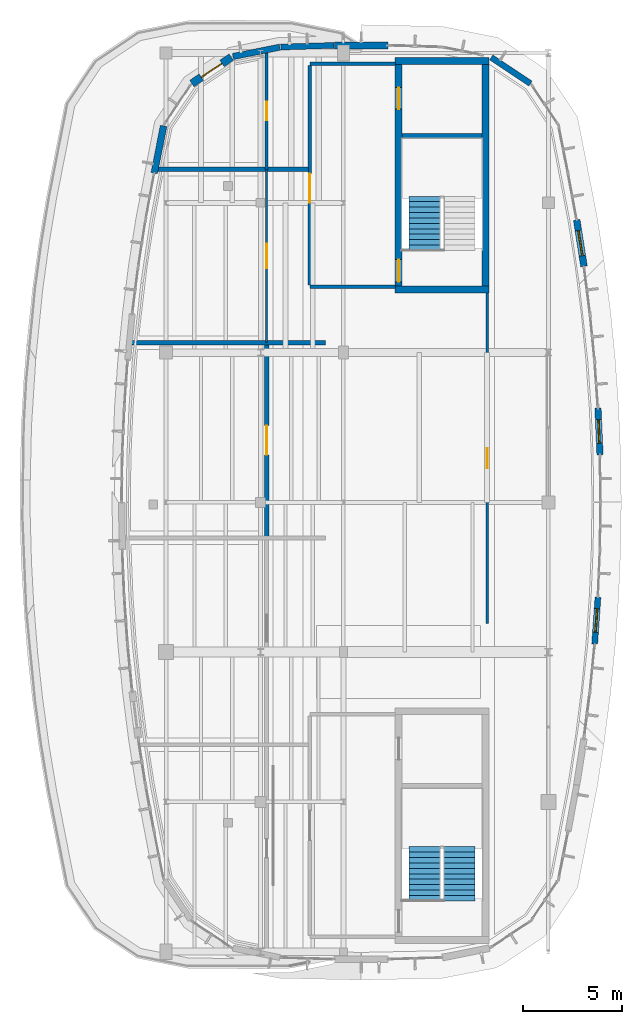
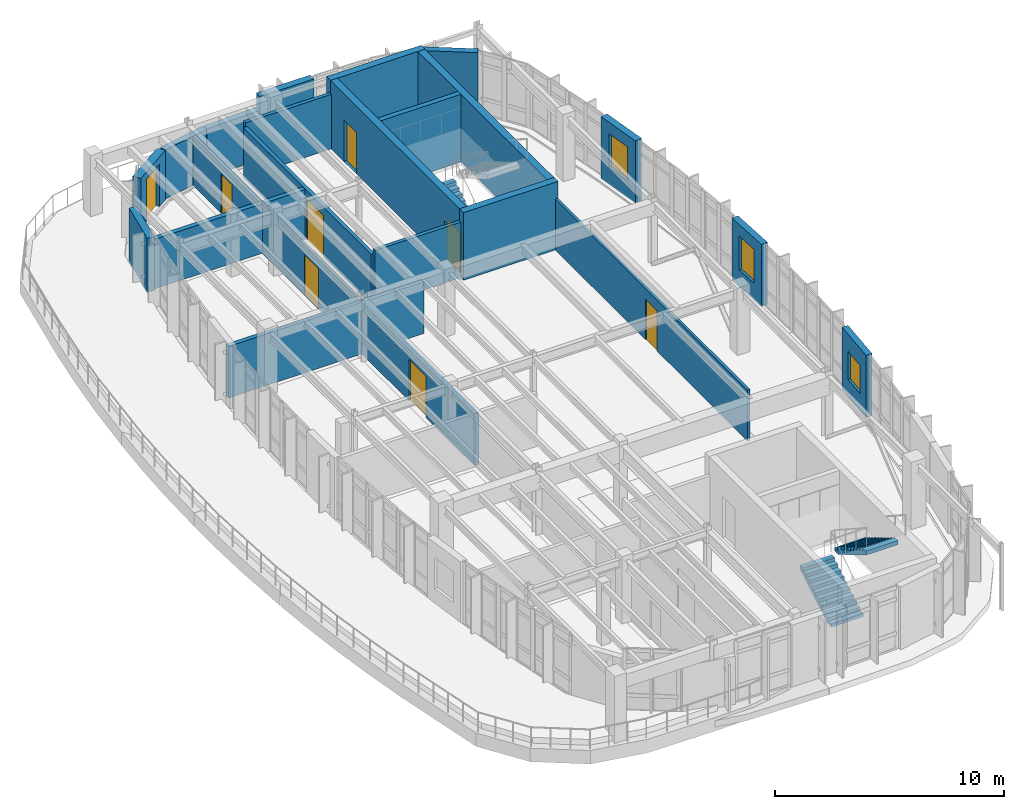
# One storey, part 16 of 20: 23 walls, 8 doors, 3 stair flights, 3 windows, 11 openings, 2 elements without a shape of their own.
"""IFC4 building model written with IfcOpenShell, lengths in metres."""

from ifc_helpers import new_model, si_unit, direction, frame, frame_2d, origin, place, context, subcontext, project, spatial, polyline, rectangle, outline, extrude, material, layer, layer_set, type_object, element, fill, aggregate, save


model = new_model("IFC4")

# Units and contexts
model_context = context("Model", 3, precision=1e-05, world=origin(), true_north=direction((0.0, 1.0)))
body_context = subcontext(model_context, "Body", "Model", "MODEL_VIEW")
ifc_project = project(units=[si_unit("LENGTHUNIT", "METRE"), si_unit("AREAUNIT", "SQUARE_METRE"), si_unit("VOLUMEUNIT", "CUBIC_METRE"), si_unit("PLANEANGLEUNIT", "RADIAN"), si_unit("MASSUNIT", "GRAM", prefix="KILO")], contexts=[model_context])

# Site, building, storey
site_placement = place(None, origin())
site = spatial("IfcSite", under=ifc_project, at=site_placement, CompositionType="ELEMENT")
building_placement = place(site_placement, origin())
building = spatial("IfcBuilding", under=site, at=building_placement, Name="Corveleigh Park Community Centre", CompositionType="ELEMENT")
storey_placement = place(building_placement, frame((0.0, 0.0, 16.199951171875)))
storey = spatial("IfcBuildingStorey", under=building, at=storey_placement, Name="L04", CompositionType="ELEMENT", Elevation=16.199951171875)

# Wall, opening, window
ifc_material_1 = material(Name="Precast concrete C40/50", Category="concrete")
ifc_layer_1 = layer(ifc_material_1, 0.300048828125, Name="Precast concrete C40/50", Category="concrete")
ifc_layer_set_1 = layer_set([ifc_layer_1], Name="Precast concrete C40/50")
wall_type_1 = type_object("IfcWallType", Name="WL-EXT-300", PredefinedType="STANDARD", material=ifc_layer_set_1)
wall_1_placement = place(storey_placement, frame((170.916015625, 76.591064453125, 0.0), z_axis=(0.0, 0.0, 1.0), x_axis=(-0.07008198487, -0.997541234936, 0.0)))
wall_1 = element("IfcWall", 1, at=wall_1_placement, inside=storey, type_object=wall_type_1, Name="V4 L04 Precast Facade Wall", PredefinedType="STANDARD", context=body_context, shape_type="SweptSolid", body=[
    extrude(rectangle(XDim=2.3828125, YDim=0.300048828125, at=frame_2d((1.19140625, 0.0))), origin(), (0.0, 0.0, 1.0), 3.31201171875),
])
opening_1_placement = place(wall_1_placement, frame((0.592041015625, 0.0, 0.89990234375)))
opening_1 = element("IfcOpeningElement", 2, at=opening_1_placement, cuts=wall_1, Name="Opening W05", PredefinedType="OPENING", context=body_context, shape_type="SweptSolid", body=[
    extrude(rectangle(XDim=1.199951171875, YDim=1.5, at=frame_2d((0.60009765625, 0.75))), frame((0.0, 0.159912109375, 0.0), z_axis=(0.0, -1.0, 0.0), x_axis=(1.0, 0.0, 0.0)), (0.0, 0.0, 1.0), 0.320068359375),
])
ifc_material_2 = material(Name="Low-E double glazing", Category="glass")
window_type_1 = type_object("IfcWindowType", Name="WIN-EXT-1200x1500", PartitioningType="SINGLE_PANEL", PredefinedType="WINDOW", material=ifc_material_2)
window_1_placement = place(opening_1_placement, origin())
window_1 = element("IfcWindow", 3, at=window_1_placement, inside=storey, type_object=window_type_1, Name="V4 L04 Window 77", OverallHeight=1.5, OverallWidth=1.199951171875, PartitioningType="SINGLE_PANEL", PredefinedType="WINDOW", context=body_context, shape_type="SweptSolid", body=[
    extrude(rectangle(XDim=1.199951171875, YDim=1.5, at=frame_2d((0.60009765625, 0.75))), frame((0.0, 0.030029296875, 0.0), z_axis=(0.0, -1.0, 0.0), x_axis=(1.0, 0.0, 0.0)), (0.0, 0.0, 1.0), 0.06005859375),
])
fill(opening_1, window_1)

# Walls
wall_2_placement = place(storey_placement, frame((165.5, 103.97900390625, 0.0), z_axis=(0.0, 0.0, 1.0), x_axis=(0.831327098334, -0.55578346105, 0.0)))
element("IfcWall", 4, at=wall_2_placement, inside=storey, type_object=wall_type_1, Name="V4 L04 Precast Facade Wall", PredefinedType="STANDARD", context=body_context, shape_type="SweptSolid", body=[
    extrude(rectangle(XDim=2.391357421875, YDim=0.300048828125, at=frame_2d((1.19580078125, 0.0))), origin(), (0.0, 0.0, 1.0), 3.3720703125),
])
wall_3_placement = place(storey_placement, frame((154.822998046875, 104.5009765625, 0.0), z_axis=(0.0, 0.0, 1.0), x_axis=(0.99950562043, 0.031440654064, 0.0)))
element("IfcWall", 5, at=wall_3_placement, inside=storey, type_object=wall_type_1, Name="V4 L04 Precast Facade Wall", PredefinedType="STANDARD", context=body_context, shape_type="SweptSolid", body=[
    extrude(rectangle(XDim=2.7021484375, YDim=0.300048828125, at=frame_2d((1.35107421875, 0.0))), origin(), (0.0, 0.0, 1.0), 2.60498046875),
])

# Wall, opening, window
ifc_layer_2 = layer(ifc_material_1, 0.320068359375, Name="Precast concrete C40/50", Category="concrete")
ifc_layer_set_2 = layer_set([ifc_layer_2], Name="Precast concrete C40/50")
wall_type_2 = type_object("IfcWallType", Name="WL-EXT-320", PredefinedType="STANDARD", material=ifc_layer_set_2)
wall_4_placement = place(storey_placement, frame((170.9169921875, 86.19091796875, 0.0), z_axis=(0.0, 0.0, 1.0), x_axis=(0.042823681887, -0.999082645365, 0.0)))
wall_4 = element("IfcWall", 6, at=wall_4_placement, inside=storey, type_object=wall_type_2, Name="V4 L04 Precast Facade Wall", PredefinedType="STANDARD", context=body_context, shape_type="SweptSolid", body=[
    extrude(rectangle(XDim=2.383056640625, YDim=0.320068359375, at=frame_2d((1.19140625, 0.0))), origin(), (0.0, 0.0, 1.0), 3.31201171875),
])
opening_2_placement = place(wall_4_placement, frame((0.592041015625, 0.0, 0.89990234375)))
opening_2 = element("IfcOpeningElement", 7, at=opening_2_placement, cuts=wall_4, Name="Opening W06", PredefinedType="OPENING", context=body_context, shape_type="SweptSolid", body=[
    extrude(rectangle(XDim=1.199951171875, YDim=1.800048828125, at=frame_2d((0.60009765625, 0.89990234375))), frame((0.0, 0.169921875, 0.0), z_axis=(0.0, -1.0, 0.0), x_axis=(1.0, 0.0, 0.0)), (0.0, 0.0, 1.0), 0.340087890625),
])
window_type_2 = type_object("IfcWindowType", Name="WIN-EXT-1200x1800", PartitioningType="SINGLE_PANEL", PredefinedType="WINDOW", material=ifc_material_2)
window_2_placement = place(opening_2_placement, origin())
window_2 = element("IfcWindow", 8, at=window_2_placement, inside=storey, type_object=window_type_2, Name="V4 L04 Window 78", OverallHeight=1.800048828125, OverallWidth=1.199951171875, PartitioningType="SINGLE_PANEL", PredefinedType="WINDOW", context=body_context, shape_type="SweptSolid", body=[
    extrude(rectangle(XDim=1.199951171875, YDim=1.800048828125, at=frame_2d((0.60009765625, 0.89990234375))), frame((0.0, 0.030029296875, 0.0), z_axis=(0.0, -1.0, 0.0), x_axis=(1.0, 0.0, 0.0)), (0.0, 0.0, 1.0), 0.06005859375),
])
fill(opening_2, window_2)

# Wall
wall_5_placement = place(storey_placement, frame((152.39501953125, 104.02197265625, 0.0), z_axis=(0.0, 0.0, 1.0), x_axis=(0.980761961866, 0.195207515624, 0.0)))
element("IfcWall", 9, at=wall_5_placement, inside=storey, type_object=wall_type_2, Name="V4 L04 Precast Facade Wall", PredefinedType="STANDARD", context=body_context, shape_type="SweptSolid", body=[
    extrude(rectangle(XDim=2.4287109375, YDim=0.320068359375, at=frame_2d((1.21435546875, 0.0))), origin(), (0.0, 0.0, 1.0), 2.60498046875),
])

# Wall, opening, window
ifc_layer_3 = layer(ifc_material_1, 0.340087890625, Name="Precast concrete C40/50", Category="concrete")
ifc_layer_set_3 = layer_set([ifc_layer_3], Name="Precast concrete C40/50")
wall_type_3 = type_object("IfcWallType", Name="WL-EXT-340", PredefinedType="STANDARD", material=ifc_layer_set_3)
wall_6_placement = place(storey_placement, frame((169.837890625, 95.72998046875, 0.0), z_axis=(0.0, 0.0, 1.0), x_axis=(0.154920709756, -0.987926907058, 0.0)))
wall_6 = element("IfcWall", 10, at=wall_6_placement, inside=storey, type_object=wall_type_3, Name="V4 L04 Precast Facade Wall", PredefinedType="STANDARD", context=body_context, shape_type="SweptSolid", body=[
    extrude(rectangle(XDim=2.3828125, YDim=0.340087890625, at=frame_2d((1.19140625, 0.0))), origin(), (0.0, 0.0, 1.0), 3.31201171875),
])
opening_3_placement = place(wall_6_placement, frame((0.541015625, 0.0, 0.89990234375)))
opening_3 = element("IfcOpeningElement", 11, at=opening_3_placement, cuts=wall_6, Name="Opening W07", PredefinedType="OPENING", context=body_context, shape_type="SweptSolid", body=[
    extrude(rectangle(XDim=1.300048828125, YDim=1.800048828125, at=frame_2d((0.64990234375, 0.89990234375))), frame((0.0, 0.179931640625, 0.0), z_axis=(0.0, -1.0, 0.0), x_axis=(1.0, 0.0, 0.0)), (0.0, 0.0, 1.0), 0.360107421875),
])
window_type_3 = type_object("IfcWindowType", Name="WIN-EXT-1300x1800", PartitioningType="SINGLE_PANEL", PredefinedType="WINDOW", material=ifc_material_2)
window_3_placement = place(opening_3_placement, origin())
window_3 = element("IfcWindow", 12, at=window_3_placement, inside=storey, type_object=window_type_3, Name="V4 L04 Window 79", OverallHeight=1.800048828125, OverallWidth=1.300048828125, PartitioningType="SINGLE_PANEL", PredefinedType="WINDOW", context=body_context, shape_type="SweptSolid", body=[
    extrude(rectangle(XDim=1.300048828125, YDim=1.800048828125, at=frame_2d((0.64990234375, 0.89990234375))), frame((0.0, 0.030029296875, 0.0), z_axis=(0.0, -1.0, 0.0), x_axis=(1.0, 0.0, 0.0)), (0.0, 0.0, 1.0), 0.06005859375),
])
fill(opening_3, window_3)

# Walls
wall_7_placement = place(storey_placement, frame((157.5419921875, 104.5859375, 0.0), z_axis=(0.0, 0.0, 1.0), x_axis=(1.0, 0.0, 0.0)))
element("IfcWall", 13, at=wall_7_placement, inside=storey, type_object=wall_type_3, Name="V4 L04 Precast Facade Wall", PredefinedType="STANDARD", context=body_context, shape_type="SweptSolid", body=[
    extrude(rectangle(XDim=2.716064453125, YDim=0.340087890625, at=frame_2d((1.35791015625, 0.0))), origin(), (0.0, 0.0, 1.0), 3.337158203125),
])
wall_8_placement = place(storey_placement, frame((148.40087890625, 98.10693359375, 0.0), z_axis=(0.0, 0.0, 1.0), x_axis=(0.195117479311, 0.980779878091, 0.0)))
element("IfcWall", 14, at=wall_8_placement, inside=storey, type_object=wall_type_3, Name="V4 L04 Precast Facade Wall", PredefinedType="STANDARD", context=body_context, shape_type="SweptSolid", body=[
    extrude(rectangle(XDim=2.44482421875, YDim=0.340087890625, at=frame_2d((1.222412109375, 0.0))), origin(), (0.0, 0.0, 1.0), 2.862060546875),
])

# Wall, opening, door
ifc_material_3 = material(Name="Concrete C40/50", Category="concrete")
ifc_layer_4 = layer(ifc_material_3, 0.39990234375, Name="Concrete C40/50", Category="concrete")
ifc_layer_set_4 = layer_set([ifc_layer_4], Name="Concrete C40/50")
wall_type_4 = type_object("IfcWallType", Name="WL-EXT-400", PredefinedType="STANDARD", material=ifc_layer_set_4)
wall_9_placement = place(storey_placement, frame((150.31201171875, 102.64990234375, 0.0), z_axis=(0.0, 0.0, 1.0), x_axis=(0.831378967594, 0.555705868461, 0.0)))
wall_9 = element("IfcWall", 15, at=wall_9_placement, inside=storey, type_object=wall_type_4, Name="V4 terrace wall", PredefinedType="STANDARD", context=body_context, shape_type="SweptSolid", body=[
    extrude(rectangle(XDim=2.407958984375, YDim=0.39990234375, at=frame_2d((1.2041015625, 0.0))), origin(), (0.0, 0.0, 1.0), 2.64501953125),
])
opening_4_placement = place(wall_9_placement, frame((0.573974609375, 0.0, 0.0)))
opening_4 = element("IfcOpeningElement", 16, at=opening_4_placement, cuts=wall_9, Name="Opening ED03", PredefinedType="OPENING", context=body_context, shape_type="SweptSolid", body=[
    extrude(rectangle(XDim=1.260009765625, YDim=2.260009765625, at=frame_2d((0.6298828125, 1.1298828125))), frame((0.0, 0.2099609375, 0.0), z_axis=(0.0, -1.0, 0.0), x_axis=(1.0, 0.0, 0.0)), (0.0, 0.0, 1.0), 0.419921875),
])
ifc_material_4 = material(Name="Powder-coated aluminium glazed door", Category="aluminium")
door_type_1 = type_object("IfcDoorType", Name="DR-EXT-1260x2260", OperationType="NOTDEFINED", PredefinedType="DOOR", material=ifc_material_4)
door_1_placement = place(opening_4_placement, origin())
door_1 = element("IfcDoor", 17, at=door_1_placement, inside=storey, type_object=door_type_1, Name="Step 4 STEM and Language Terrace access door", OperationType="SINGLE_SWING_LEFT", OverallHeight=2.260009765625, OverallWidth=1.260009765625, PredefinedType="DOOR", context=body_context, shape_type="SweptSolid", body=[
    extrude(rectangle(XDim=1.260009765625, YDim=2.260009765625, at=frame_2d((0.6298828125, 1.1298828125))), frame((0.0, 0.02490234375, 0.0), z_axis=(0.0, -1.0, 0.0), x_axis=(1.0, 0.0, 0.0)), (0.0, 0.0, 1.0), 0.050048828125),
])
fill(opening_4, door_1)

ifc_material_5 = material(Name="Gypsum acoustic stud partition", Category="gypsum")
ifc_layer_5 = layer(ifc_material_5, 0.10009765625, Name="Gypsum acoustic stud partition", Category="gypsum")
ifc_layer_set_5 = layer_set([ifc_layer_5], Name="Gypsum acoustic stud partition")
wall_type_5 = type_object("IfcWallType", Name="WL-PRT-100", PredefinedType="PARTITIONING", material=ifc_layer_set_5)
wall_10_placement = place(storey_placement, frame((154.10009765625, 98.300048828125, 0.0), z_axis=(0.0, 0.0, 1.0), x_axis=(0.0, -1.0, 0.0)))
wall_10 = element("IfcWall", 18, at=wall_10_placement, inside=storey, type_object=wall_type_5, Name="Community Health Drop-In Studio corridor wall", PredefinedType="PARTITIONING", context=body_context, shape_type="SweptSolid", body=[
    extrude(rectangle(XDim=8.800048828125, YDim=0.10009765625, at=frame_2d((4.39990234375, 0.0))), origin(), (0.0, 0.0, 1.0), 2.64111328125),
])
opening_5_placement = place(wall_10_placement, frame((3.780029296875, 0.0, 0.0)))
opening_5 = element("IfcOpeningElement", 19, at=opening_5_placement, cuts=wall_10, Name="Opening ID04", PredefinedType="OPENING", context=body_context, shape_type="SweptSolid", body=[
    extrude(rectangle(XDim=1.239990234375, YDim=2.159912109375, at=frame_2d((0.6201171875, 1.080078125))), frame((0.0, 0.06005859375, 0.0), z_axis=(0.0, -1.0, 0.0), x_axis=(1.0, 0.0, 0.0)), (0.0, 0.0, 1.0), 0.1201171875),
])
ifc_material_6 = material(Name="Hardwood acoustic door leaf", Category="wood")
door_type_2 = type_object("IfcDoorType", Name="DR-INT-1240x2160", OperationType="NOTDEFINED", PredefinedType="DOOR", material=ifc_material_6)
door_2_placement = place(opening_5_placement, origin())
door_2 = element("IfcDoor", 20, at=door_2_placement, inside=storey, type_object=door_type_2, Name="Community Health Drop-In Studio door", OperationType="SINGLE_SWING_LEFT", OverallHeight=2.159912109375, OverallWidth=1.239990234375, PredefinedType="DOOR", context=body_context, shape_type="SweptSolid", body=[
    extrude(rectangle(XDim=1.239990234375, YDim=2.159912109375, at=frame_2d((0.6201171875, 1.080078125))), frame((0.0, 0.02490234375, 0.0), z_axis=(0.0, -1.0, 0.0), x_axis=(1.0, 0.0, 0.0)), (0.0, 0.0, 1.0), 0.050048828125),
])
fill(opening_5, door_2)

ifc_layer_6 = layer(ifc_material_5, 0.125, Name="Gypsum acoustic stud partition", Category="gypsum")
ifc_layer_set_6 = layer_set([ifc_layer_6], Name="Gypsum acoustic stud partition")
wall_type_6 = type_object("IfcWallType", Name="WL-PRT-125", PredefinedType="PARTITIONING", material=ifc_layer_set_6)
wall_11_placement = place(storey_placement, frame((165.300048828125, 75.25, 0.0), z_axis=(0.0, 0.0, 1.0), x_axis=(0.0, 1.0, 0.0)))
wall_11 = element("IfcWall", 21, at=wall_11_placement, inside=storey, type_object=wall_type_6, Name="Parkside Digital Study Library corridor wall", PredefinedType="PARTITIONING", context=body_context, shape_type="SweptSolid", body=[
    extrude(rectangle(XDim=16.787109375, YDim=0.125, at=frame_2d((8.3935546875, 0.0))), origin(), (0.0, 0.0, 1.0), 2.7099609375),
])
opening_6_placement = place(wall_11_placement, frame((7.884033203125, 0.0, 0.0)))
opening_6 = element("IfcOpeningElement", 22, at=opening_6_placement, cuts=wall_11, Name="Opening FD05", PredefinedType="OPENING", context=body_context, shape_type="SweptSolid", body=[
    extrude(rectangle(XDim=1.02001953125, YDim=2.139892578125, at=frame_2d((0.510009765625, 1.06982421875))), frame((0.0, 0.072509765625, 0.0), z_axis=(0.0, -1.0, 0.0), x_axis=(1.0, 0.0, 0.0)), (0.0, 0.0, 1.0), 0.14501953125),
])
door_type_3 = type_object("IfcDoorType", Name="DR-FIR-1020x2140", OperationType="NOTDEFINED", PredefinedType="DOOR", material=ifc_material_6)
door_3_placement = place(opening_6_placement, origin())
door_3 = element("IfcDoor", 23, at=door_3_placement, inside=storey, type_object=door_type_3, Name="Parkside Digital Study Library door", OperationType="SINGLE_SWING_LEFT", OverallHeight=2.139892578125, OverallWidth=1.02001953125, PredefinedType="DOOR", context=body_context, shape_type="SweptSolid", body=[
    extrude(rectangle(XDim=1.02001953125, YDim=2.139892578125, at=frame_2d((0.510009765625, 1.06982421875))), frame((0.0, 0.02490234375, 0.0), z_axis=(0.0, -1.0, 0.0), x_axis=(1.0, 0.0, 0.0)), (0.0, 0.0, 1.0), 0.050048828125),
])
fill(opening_6, door_3)

ifc_layer_7 = layer(ifc_material_5, 0.1650390625, Name="Gypsum acoustic stud partition", Category="gypsum")
ifc_layer_set_7 = layer_set([ifc_layer_7], Name="Gypsum acoustic stud partition")
wall_type_7 = type_object("IfcWallType", Name="WL-PRT-165", PredefinedType="PARTITIONING", material=ifc_layer_set_7)
wall_12_placement = place(storey_placement, frame((154.10009765625, 104.2099609375, 0.0), z_axis=(0.0, 0.0, 1.0), x_axis=(0.0, -1.0, 0.0)))
wall_12 = element("IfcWall", 24, at=wall_12_placement, inside=storey, type_object=wall_type_7, Name="Accessible and Public Toilets L04 corridor wall", PredefinedType="PARTITIONING", context=body_context, shape_type="SweptSolid", body=[
    extrude(rectangle(XDim=5.909912109375, YDim=0.1650390625, at=frame_2d((2.955078125, 0.0))), origin(), (0.0, 0.0, 1.0), 2.60498046875),
])
opening_7_placement = place(wall_12_placement, frame((2.485107421875, 0.0, 0.0)))
opening_7 = element("IfcOpeningElement", 25, at=opening_7_placement, cuts=wall_12, Name="Opening FD09", PredefinedType="OPENING", context=body_context, shape_type="SweptSolid", body=[
    extrude(rectangle(XDim=0.93994140625, YDim=2.10009765625, at=frame_2d((0.469970703125, 1.050048828125))), frame((0.0, 0.092529296875, 0.0), z_axis=(0.0, -1.0, 0.0), x_axis=(1.0, 0.0, 0.0)), (0.0, 0.0, 1.0), 0.18505859375),
])
door_type_4 = type_object("IfcDoorType", Name="DR-FIR-0940x2100", OperationType="NOTDEFINED", PredefinedType="DOOR", material=ifc_material_6)
door_4_placement = place(opening_7_placement, origin())
door_4 = element("IfcDoor", 26, at=door_4_placement, inside=storey, type_object=door_type_4, Name="Accessible and Public Toilets L04 door", OperationType="SINGLE_SWING_RIGHT", OverallHeight=2.10009765625, OverallWidth=0.93994140625, PredefinedType="DOOR", context=body_context, shape_type="SweptSolid", body=[
    extrude(rectangle(XDim=0.93994140625, YDim=2.10009765625, at=frame_2d((0.469970703125, 1.050048828125))), frame((0.0, 0.02490234375, 0.0), z_axis=(0.0, -1.0, 0.0), x_axis=(1.0, 0.0, 0.0)), (0.0, 0.0, 1.0), 0.050048828125),
])
fill(opening_7, door_4)

# Walls
ifc_layer_8 = layer(ifc_material_5, 0.179931640625, Name="Gypsum acoustic stud partition", Category="gypsum")
ifc_layer_set_8 = layer_set([ifc_layer_8], Name="Gypsum acoustic stud partition")
wall_type_8 = type_object("IfcWallType", Name="WL-PRT-180", PredefinedType="PARTITIONING", material=ifc_layer_set_8)
wall_13_placement = place(storey_placement, frame((156.300048828125, 92.35009765625, 0.0), z_axis=(0.0, 0.0, 1.0), x_axis=(1.0, 0.0, 0.0)))
element("IfcWall", 27, at=wall_13_placement, inside=storey, type_object=wall_type_8, Name="CORE2 lobby south wall", PredefinedType="PARTITIONING", context=body_context, shape_type="SweptSolid", body=[
    extrude(rectangle(XDim=4.33984375, YDim=0.179931640625, at=frame_2d((2.169921875, 0.0))), origin(), (0.0, 0.0, 1.0), 2.9541015625),
])
wall_14_placement = place(storey_placement, frame((160.639892578125, 103.64990234375, 0.0), z_axis=(0.0, 0.0, 1.0), x_axis=(-1.0, 0.0, 0.0)))
element("IfcWall", 28, at=wall_14_placement, inside=storey, type_object=wall_type_8, Name="CORE2 lobby north wall", PredefinedType="PARTITIONING", context=body_context, shape_type="SweptSolid", body=[
    extrude(rectangle(XDim=4.33984375, YDim=0.179931640625, at=frame_2d((2.169921875, 0.0))), origin(), (0.0, 0.0, 1.0), 2.900146484375),
])

# Wall, opening, door
wall_15_placement = place(storey_placement, frame((156.300048828125, 103.570068359375, 0.0), z_axis=(0.0, 0.0, 1.0), x_axis=(0.0, -1.0, 0.0)))
wall_15 = element("IfcWall", 29, at=wall_15_placement, inside=storey, type_object=wall_type_8, Name="CORE2 lobby corridor wall", PredefinedType="PARTITIONING", context=body_context, shape_type="SweptSolid", body=[
    extrude(rectangle(XDim=11.14013671875, YDim=0.179931640625, at=frame_2d((5.570068359375, 0.0))), origin(), (0.0, 0.0, 1.0), 2.672119140625),
])
opening_8_placement = place(wall_15_placement, frame((5.489990234375, 0.0, 0.0)))
opening_8 = element("IfcOpeningElement", 30, at=opening_8_placement, cuts=wall_15, Name="Opening FD01", PredefinedType="OPENING", context=body_context, shape_type="SweptSolid", body=[
    extrude(rectangle(XDim=1.47998046875, YDim=2.219970703125, at=frame_2d((0.739990234375, 1.10986328125))), frame((0.0, 0.099853515625, 0.0), z_axis=(0.0, -1.0, 0.0), x_axis=(1.0, 0.0, 0.0)), (0.0, 0.0, 1.0), 0.199951171875),
])
door_type_5 = type_object("IfcDoorType", Name="DR-FIR-1480x2220", OperationType="DOUBLE_DOOR_SINGLE_SWING", PredefinedType="DOOR", material=ifc_material_6)
door_5_placement = place(opening_8_placement, origin())
door_5 = element("IfcDoor", 31, at=door_5_placement, inside=storey, type_object=door_type_5, Name="Lobby CORE2 corridor door L04", OperationType="DOUBLE_DOOR_SINGLE_SWING", OverallHeight=2.219970703125, OverallWidth=1.47998046875, PredefinedType="DOOR", context=body_context, shape_type="SweptSolid", body=[
    extrude(rectangle(XDim=1.47998046875, YDim=2.219970703125, at=frame_2d((0.739990234375, 1.10986328125))), frame((0.0, 0.02490234375, 0.0), z_axis=(0.0, -1.0, 0.0), x_axis=(1.0, 0.0, 0.0)), (0.0, 0.0, 1.0), 0.050048828125),
])
fill(opening_8, door_5)

# Wall
ifc_material_7 = material(Name="Masonry blockwork 7.3 MPa", Category="masonry")
ifc_layer_9 = layer(ifc_material_7, 0.215087890625, Name="Masonry blockwork 7.3 MPa", Category="masonry")
ifc_layer_set_9 = layer_set([ifc_layer_9], Name="Masonry blockwork 7.3 MPa")
wall_type_9 = type_object("IfcWallType", Name="WL-PRT-215", PredefinedType="PARTITIONING", material=ifc_layer_set_9)
wall_16_placement = place(storey_placement, frame((147.280029296875, 89.5, 0.0), z_axis=(0.0, 0.0, 1.0), x_axis=(1.0, 0.0, 0.0)))
element("IfcWall", 32, at=wall_16_placement, inside=storey, type_object=wall_type_9, Name="Citizens Advice Consultation Suite partition", PredefinedType="PARTITIONING", context=body_context, shape_type="SweptSolid", body=[
    extrude(rectangle(XDim=9.820068359375, YDim=0.215087890625, at=frame_2d((4.91015625, 0.0))), origin(), (0.0, 0.0, 1.0), 2.748046875),
])

# Wall, opening, door
ifc_layer_10 = layer(ifc_material_7, 0.22998046875, Name="Masonry blockwork 7.3 MPa", Category="masonry")
ifc_layer_set_10 = layer_set([ifc_layer_10], Name="Masonry blockwork 7.3 MPa")
wall_type_10 = type_object("IfcWallType", Name="WL-PRT-230", PredefinedType="PARTITIONING", material=ifc_layer_set_10)
wall_17_placement = place(storey_placement, frame((154.10009765625, 89.5, 0.0), z_axis=(0.0, 0.0, 1.0), x_axis=(0.0, -1.0, 0.0)))
wall_17 = element("IfcWall", 33, at=wall_17_placement, inside=storey, type_object=wall_type_10, Name="Citizens Advice Consultation Suite corridor wall", PredefinedType="PARTITIONING", context=body_context, shape_type="SweptSolid", body=[
    extrude(rectangle(XDim=9.89990234375, YDim=0.22998046875, at=frame_2d((4.949951171875, 0.0))), origin(), (0.0, 0.0, 1.0), 2.751953125),
])
opening_9_placement = place(wall_17_placement, frame((4.2099609375, 0.0, 0.0)))
opening_9 = element("IfcOpeningElement", 34, at=opening_9_placement, cuts=wall_17, Name="Opening FD01", PredefinedType="OPENING", context=body_context, shape_type="SweptSolid", body=[
    extrude(rectangle(XDim=1.47998046875, YDim=2.219970703125, at=frame_2d((0.739990234375, 1.10986328125))), frame((0.0, 0.125, 0.0), z_axis=(0.0, -1.0, 0.0), x_axis=(1.0, 0.0, 0.0)), (0.0, 0.0, 1.0), 0.25),
])
door_6_placement = place(opening_9_placement, origin())
door_6 = element("IfcDoor", 35, at=door_6_placement, inside=storey, type_object=door_type_5, Name="Citizens Advice Consultation Suite door", OperationType="DOUBLE_DOOR_SINGLE_SWING", OverallHeight=2.219970703125, OverallWidth=1.47998046875, PredefinedType="DOOR", context=body_context, shape_type="SweptSolid", body=[
    extrude(rectangle(XDim=1.47998046875, YDim=2.219970703125, at=frame_2d((0.739990234375, 1.10986328125))), frame((0.0, 0.02490234375, 0.0), z_axis=(0.0, -1.0, 0.0), x_axis=(1.0, 0.0, 0.0)), (0.0, 0.0, 1.0), 0.050048828125),
])
fill(opening_9, door_6)

# Walls
wall_18_placement = place(storey_placement, frame((148.60009765625, 98.300048828125, 0.0), z_axis=(0.0, 0.0, 1.0), x_axis=(1.0, 0.0, 0.0)))
element("IfcWall", 36, at=wall_18_placement, inside=storey, type_object=wall_type_10, Name="Community Health Drop-In Studio partition", PredefinedType="PARTITIONING", context=body_context, shape_type="SweptSolid", body=[
    extrude(rectangle(XDim=7.621826171875, YDim=0.22998046875, at=frame_2d((3.81103515625, 0.0))), origin(), (0.0, 0.0, 1.0), 2.64111328125),
])
ifc_layer_11 = layer(ifc_material_3, 0.25, Name="Concrete C40/50", Category="concrete")
ifc_layer_set_11 = layer_set([ifc_layer_11], Name="Concrete C40/50")
wall_type_11 = type_object("IfcWallType", Name="WL-SHR-250", PredefinedType="SHEAR", material=ifc_layer_set_11)
wall_19_placement = place(storey_placement, frame((160.97509765625, 100.0, 0.0), z_axis=(0.0, 0.0, 1.0), x_axis=(1.0, 0.0, 0.0)))
element("IfcWall", 37, at=wall_19_placement, inside=storey, type_object=wall_type_11, Name="CORE2 shaft wall", PredefinedType="SHEAR", context=body_context, shape_type="SweptSolid", body=[
    extrude(rectangle(XDim=4.0498046875, YDim=0.25, at=frame_2d((2.02490234375, 0.0))), origin(), (0.0, 0.0, 1.0), 3.60009765625),
])
ifc_layer_12 = layer(ifc_material_3, 0.35009765625, Name="Concrete C40/50", Category="concrete")
ifc_layer_set_12 = layer_set([ifc_layer_12], Name="Concrete C40/50")
wall_type_12 = type_object("IfcWallType", Name="WL-SHR-350", PredefinedType="SHEAR", material=ifc_layer_set_12)
wall_20_placement = place(storey_placement, frame((160.625, 92.199951171875, 0.0), z_axis=(0.0, 0.0, 1.0), x_axis=(1.0, 0.0, 0.0)))
element("IfcWall", 38, at=wall_20_placement, inside=storey, type_object=wall_type_12, Name="CORE2 south shear wall", PredefinedType="SHEAR", context=body_context, shape_type="SweptSolid", body=[
    extrude(rectangle(XDim=4.75, YDim=0.35009765625, at=frame_2d((2.375, 0.0))), origin(), (0.0, 0.0, 1.0), 3.60009765625),
])
wall_21_placement = place(storey_placement, frame((165.199951171875, 92.375, 0.0), z_axis=(0.0, 0.0, 1.0), x_axis=(0.0, 1.0, 0.0)))
element("IfcWall", 39, at=wall_21_placement, inside=storey, type_object=wall_type_12, Name="CORE2 east shear wall", PredefinedType="SHEAR", context=body_context, shape_type="SweptSolid", body=[
    extrude(rectangle(XDim=11.25, YDim=0.35009765625, at=frame_2d((5.625, 0.0))), origin(), (0.0, 0.0, 1.0), 3.60009765625),
])
wall_22_placement = place(storey_placement, frame((165.375, 103.800048828125, 0.0), z_axis=(0.0, 0.0, 1.0), x_axis=(-1.0, 0.0, 0.0)))
element("IfcWall", 40, at=wall_22_placement, inside=storey, type_object=wall_type_12, Name="CORE2 north shear wall", PredefinedType="SHEAR", context=body_context, shape_type="SweptSolid", body=[
    extrude(rectangle(XDim=4.75, YDim=0.35009765625, at=frame_2d((2.375, 0.0))), origin(), (0.0, 0.0, 1.0), 3.60009765625),
])

# Wall, openings, doors
wall_23_placement = place(storey_placement, frame((160.800048828125, 103.625, 0.0), z_axis=(0.0, 0.0, 1.0), x_axis=(0.0, -1.0, 0.0)))
wall_23 = element("IfcWall", 41, at=wall_23_placement, inside=storey, type_object=wall_type_12, Name="CORE2 west lobby wall", PredefinedType="SHEAR", context=body_context, shape_type="SweptSolid", body=[
    extrude(rectangle(XDim=11.25, YDim=0.35009765625, at=frame_2d((5.625, 0.0))), origin(), (0.0, 0.0, 1.0), 3.60009765625),
])
opening_10_placement = place(wall_23_placement, frame((1.175048828125, 0.0, 0.0)))
opening_10 = element("IfcOpeningElement", 42, at=opening_10_placement, cuts=wall_23, Name="Opening LD01", PredefinedType="OPENING", context=body_context, shape_type="SweptSolid", body=[
    extrude(rectangle(XDim=1.10009765625, YDim=2.199951171875, at=frame_2d((0.550048828125, 1.10009765625))), frame((0.0, 0.18505859375, 0.0), z_axis=(0.0, -1.0, 0.0), x_axis=(1.0, 0.0, 0.0)), (0.0, 0.0, 1.0), 0.3701171875),
])
opening_11_placement = place(wall_23_placement, frame((9.9150390625, 0.0, 0.0)))
opening_11 = element("IfcOpeningElement", 43, at=opening_11_placement, cuts=wall_23, Name="Opening FD03", PredefinedType="OPENING", context=body_context, shape_type="SweptSolid", body=[
    extrude(rectangle(XDim=1.1201171875, YDim=2.159912109375, at=frame_2d((0.56005859375, 1.080078125))), frame((0.0, 0.18505859375, 0.0), z_axis=(0.0, -1.0, 0.0), x_axis=(1.0, 0.0, 0.0)), (0.0, 0.0, 1.0), 0.3701171875),
])
door_type_6 = type_object("IfcDoorType", Name="DR-FIR-1120x2160", OperationType="NOTDEFINED", PredefinedType="DOOR", material=ifc_material_6)
door_7_placement = place(opening_11_placement, origin())
door_7 = element("IfcDoor", 44, at=door_7_placement, inside=storey, type_object=door_type_6, Name="Stair ST2 fire door L04", OperationType="SINGLE_SWING_RIGHT", OverallHeight=2.159912109375, OverallWidth=1.1201171875, PredefinedType="DOOR", context=body_context, shape_type="SweptSolid", body=[
    extrude(rectangle(XDim=1.1201171875, YDim=2.159912109375, at=frame_2d((0.56005859375, 1.080078125))), frame((0.0, 0.02490234375, 0.0), z_axis=(0.0, -1.0, 0.0), x_axis=(1.0, 0.0, 0.0)), (0.0, 0.0, 1.0), 0.050048828125),
])
fill(opening_11, door_7)
ifc_material_8 = material(Name="Brushed stainless steel lift car", Category="steel")
door_type_7 = type_object("IfcDoorType", Name="DR-LFT-1100x2200", OperationType="DOUBLE_DOOR_SLIDING", PredefinedType="DOOR", material=ifc_material_8)
door_8_placement = place(opening_10_placement, origin())
door_8 = element("IfcDoor", 45, at=door_8_placement, inside=storey, type_object=door_type_7, Name="Lift FL2 landing door L04", OperationType="DOUBLE_DOOR_SLIDING", OverallHeight=2.199951171875, OverallWidth=1.10009765625, PredefinedType="DOOR", context=body_context, shape_type="SweptSolid", body=[
    extrude(rectangle(XDim=1.10009765625, YDim=2.199951171875, at=frame_2d((0.550048828125, 1.10009765625))), frame((0.0, 0.02490234375, 0.0), z_axis=(0.0, -1.0, 0.0), x_axis=(1.0, 0.0, 0.0)), (0.0, 0.0, 1.0), 0.050048828125),
])
fill(opening_10, door_8)

# Stair, stair flights
ifc_material_9 = material(Name="Concrete C32/40", Category="concrete")
stair_type = type_object("IfcStairType", Name="STR-HT-1600-360", PredefinedType="USERDEFINED", material=ifc_material_9)
stair_1_placement = place(storey_placement, origin())
stair_1 = element("IfcStair", 46, at=stair_1_placement, inside=storey, type_object=stair_type, Name="Protected escape stair ST1 (L04 to L05)", ObjectType="TWO_RETURN_STAIR", PredefinedType="USERDEFINED")
ifc_layer_13 = layer(ifc_material_9, 0.179931640625, Name="Concrete C32/40", Category="concrete")
ifc_layer_set_13 = layer_set([ifc_layer_13], Name="Concrete C32/40")
stair_flight_type = type_object("IfcStairFlightType", Name="FLG-RC-1600", PredefinedType="STRAIGHT", material=ifc_layer_set_13)
stair_flight_1_placement = place(storey_placement, frame((162.1298828125, 61.179931640625, 0.0), z_axis=(0.0, 0.0, 1.0), x_axis=(0.0, 1.0, 0.0)))
stair_flight_1 = element("IfcStairFlight", 47, at=stair_flight_1_placement, type_object=stair_flight_type, Name="ST1 flight 1", NumberOfRisers=11, NumberOfTreads=10, PredefinedType="STRAIGHT", RiserHeight=0.16364, TreadLength=0.275, context=body_context, shape_type="SweptSolid", body=[
    extrude(outline(polyline([(0.0, 0.0), (0.0, 0.16357421875), (0.27490234375, 0.16357421875), (0.27490234375, 0.327392578125), (0.550048828125, 0.327392578125), (0.550048828125, 0.490966796875), (0.824951171875, 0.490966796875), (0.824951171875, 0.654541015625), (1.10009765625, 0.654541015625), (1.10009765625, 0.818115234375), (1.375, 0.818115234375), (1.375, 0.98193359375), (1.64990234375, 0.98193359375), (1.64990234375, 1.1455078125), (1.925048828125, 1.1455078125), (1.925048828125, 1.30908203125), (2.199951171875, 1.30908203125), (2.199951171875, 1.47265625), (2.47509765625, 1.47265625), (2.47509765625, 1.636474609375), (2.75, 1.636474609375), (2.75, 1.800048828125), (2.75, 1.427001953125), (0.351806640625, 0.0), (0.0, 0.0)])), frame((0.0, 0.800048828125, 0.0), z_axis=(0.0, -1.0, 0.0), x_axis=(1.0, 0.0, 0.0)), (0.0, 0.0, 1.0), 1.60009765625),
])
stair_flight_2_placement = place(storey_placement, frame((163.8701171875, 63.929931640625, 1.800048828125), z_axis=(0.0, 0.0, 1.0), x_axis=(0.0, -1.0, 0.0)))
stair_flight_2 = element("IfcStairFlight", 48, at=stair_flight_2_placement, type_object=stair_flight_type, Name="ST1 flight 2", NumberOfRisers=11, NumberOfTreads=10, PredefinedType="STRAIGHT", RiserHeight=0.16364, TreadLength=0.275, context=body_context, shape_type="SweptSolid", body=[
    extrude(outline(polyline([(0.0, 0.0), (0.0, 0.16357421875), (0.27490234375, 0.16357421875), (0.27490234375, 0.327392578125), (0.550048828125, 0.327392578125), (0.550048828125, 0.490966796875), (0.824951171875, 0.490966796875), (0.824951171875, 0.654541015625), (1.10009765625, 0.654541015625), (1.10009765625, 0.818115234375), (1.375, 0.818115234375), (1.375, 0.98193359375), (1.64990234375, 0.98193359375), (1.64990234375, 1.1455078125), (1.925048828125, 1.1455078125), (1.925048828125, 1.30908203125), (2.199951171875, 1.30908203125), (2.199951171875, 1.47265625), (2.47509765625, 1.47265625), (2.47509765625, 1.636474609375), (2.75, 1.636474609375), (2.75, 1.800048828125), (2.75, 1.427001953125), (0.351806640625, 0.0), (0.0, 0.0)])), frame((0.0, 0.800048828125, 0.0), z_axis=(0.0, -1.0, 0.0), x_axis=(1.0, 0.0, 0.0)), (0.0, 0.0, 1.0), 1.60009765625),
])
aggregate(stair_1, [stair_flight_1, stair_flight_2])

# Stair, stair flight
stair_2_placement = place(storey_placement, origin())
stair_2 = element("IfcStair", 49, at=stair_2_placement, inside=storey, type_object=stair_type, Name="Protected escape stair ST2 (L04 to L05)", ObjectType="TWO_RETURN_STAIR", PredefinedType="USERDEFINED")
stair_flight_3_placement = place(storey_placement, frame((162.1298828125, 94.179931640625, 0.0), z_axis=(0.0, 0.0, 1.0), x_axis=(0.0, 1.0, 0.0)))
stair_flight_3 = element("IfcStairFlight", 50, at=stair_flight_3_placement, type_object=stair_flight_type, Name="ST2 flight 1", NumberOfRisers=11, NumberOfTreads=10, PredefinedType="STRAIGHT", RiserHeight=0.16364, TreadLength=0.275, context=body_context, shape_type="SweptSolid", body=[
    extrude(outline(polyline([(0.0, 0.0), (0.0, 0.16357421875), (0.27490234375, 0.16357421875), (0.27490234375, 0.327392578125), (0.550048828125, 0.327392578125), (0.550048828125, 0.490966796875), (0.824951171875, 0.490966796875), (0.824951171875, 0.654541015625), (1.10009765625, 0.654541015625), (1.10009765625, 0.818115234375), (1.375, 0.818115234375), (1.375, 0.98193359375), (1.64990234375, 0.98193359375), (1.64990234375, 1.1455078125), (1.925048828125, 1.1455078125), (1.925048828125, 1.30908203125), (2.199951171875, 1.30908203125), (2.199951171875, 1.47265625), (2.47509765625, 1.47265625), (2.47509765625, 1.636474609375), (2.75, 1.636474609375), (2.75, 1.800048828125), (2.75, 1.427001953125), (0.351806640625, 0.0), (0.0, 0.0)])), frame((0.0, 0.800048828125, 0.0), z_axis=(0.0, -1.0, 0.0), x_axis=(1.0, 0.0, 0.0)), (0.0, 0.0, 1.0), 1.60009765625),
])
aggregate(stair_2, [stair_flight_3])

save(model, "model.ifc")
